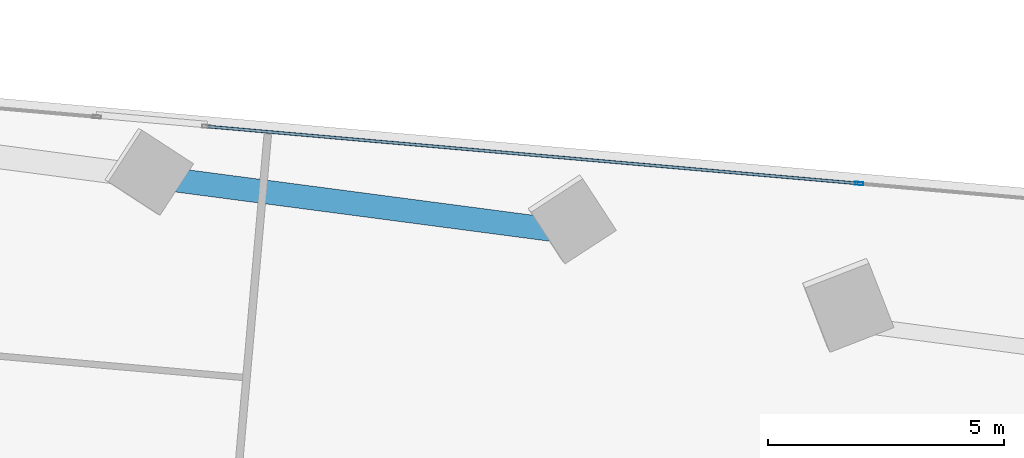
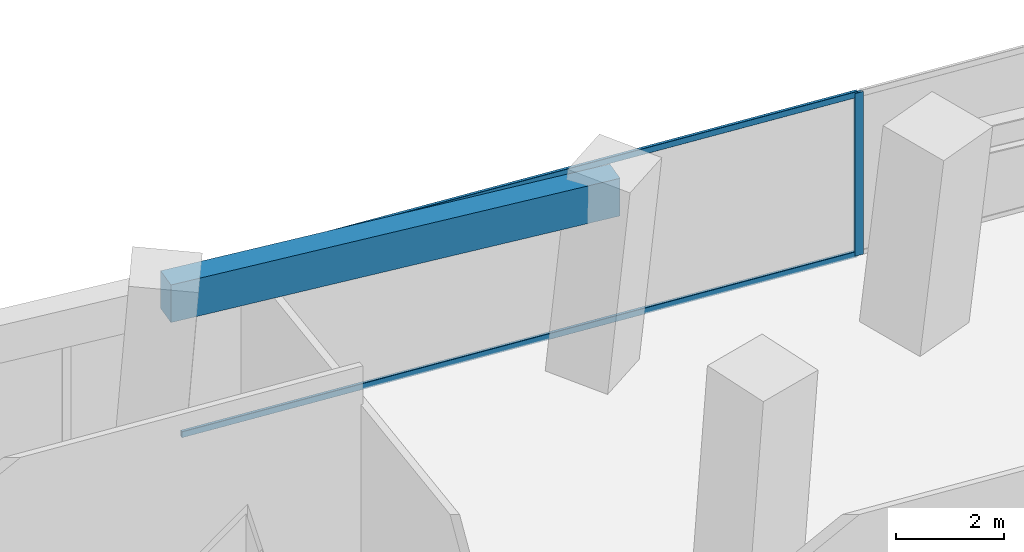
# One storey, part 17 of 23: 3 members, 1 beam, 1 element without a shape of its own.
"""IFC4 building model written with IfcOpenShell, lengths in metres."""

from ifc_helpers import new_model, si_unit, direction, frame, origin, origin_2d, place, context, subcontext, project, spatial, rectangle, hollow_rectangle, extrude, source, transform, mapped, material, material_profile, profile_set, type_object, element, aggregate, save


model = new_model("IFC4")

# Units and contexts
model_context = context("Model", 3, precision=1e-05, world=origin(), true_north=direction((0.0, 1.0)))
body_context = subcontext(model_context, "Body", "Model", "MODEL_VIEW")
ifc_project = project(units=[si_unit("LENGTHUNIT", "METRE"), si_unit("AREAUNIT", "SQUARE_METRE"), si_unit("VOLUMEUNIT", "CUBIC_METRE"), si_unit("PLANEANGLEUNIT", "RADIAN"), si_unit("MASSUNIT", "GRAM", prefix="KILO")], contexts=[model_context])

# Site, building, storey
site_placement = place(None, origin())
site = spatial("IfcSite", under=ifc_project, at=site_placement, CompositionType="ELEMENT")
building_placement = place(site_placement, origin())
building = spatial("IfcBuilding", under=site, at=building_placement, Name="Torre Montelarca", CompositionType="ELEMENT")
storey_placement = place(building_placement, frame((0.0, 0.0, 56.800048828125)))
storey = spatial("IfcBuildingStorey", under=building, at=storey_placement, Name="L12", CompositionType="ELEMENT", Elevation=56.800048828125)

# Beam
ifc_material_1 = material(Name="Concrete C55/67", Category="concrete")
ifc_material_profile_1 = material_profile(ifc_material_1, rectangle(XDim=0.5, YDim=0.85009765625, at=origin_2d()), Name="RCB500X850", Category="concrete")
ifc_profile_set_1 = profile_set([ifc_material_profile_1], Name="Concrete C55/67")
beam_type = type_object("IfcBeamType", Name="BM-SP-RC850-EXT", PredefinedType="SPANDREL", material=ifc_profile_set_1)
shared_shape_1 = source(origin(), body_context, "Body", "SweptSolid", [
    extrude(rectangle(XDim=0.5, YDim=0.85009765625, at=origin_2d()), origin(), (0.0, 0.0, 1.0), 9.0),
])
beam_placement = place(storey_placement, frame((28.930419921875, 46.302490234375, 4.135009765625), z_axis=(0.991444043898, -0.130532401413, 0.0), x_axis=(0.130532401413, 0.991444043898, 0.0)))
element("IfcBeam", 1, at=beam_placement, inside=storey, type_object=beam_type, Name="L12 Grid Girder X 27.0-36.0 at Y=47.1", PredefinedType="SPANDREL", context=body_context, shape_type="MappedRepresentation", body=[
    mapped(shared_shape_1, transform((0.0, 0.0, 0.0), scale=1.0)),
])

# Curtain wall, members
ifc_material_2 = material(Name="Insulated low-E laminated glass", Category="glass")
curtain_wall_type = type_object("IfcCurtainWallType", Name="CW-SYS-Z1", PredefinedType="USERDEFINED", material=ifc_material_2)
curtain_wall_placement = place(storey_placement, origin())
curtain_wall = element("IfcCurtainWall", 2, at=curtain_wall_placement, inside=storey, type_object=curtain_wall_type, Name="L12 Curtain Wall Run CW-T3-L12-E08-B1", ObjectType="UNITISED GLAZING", PredefinedType="USERDEFINED")
ifc_material_3 = material(Name="Anodised aluminium AA 6063-T6", Category="aluminium")
ifc_material_profile_2 = material_profile(ifc_material_3, hollow_rectangle(XDim=0.06494140625, YDim=0.179931640625, WallThickness=0.00390625, InnerFilletRadius=0.00390625, OuterFilletRadius=0.008056640625, at=origin_2d()), Name="ALU65X180X4", Category="aluminium")
ifc_profile_set_2 = profile_set([ifc_material_profile_2], Name="Anodised aluminium AA 6063-T6")
member_type_1 = type_object("IfcMemberType", Name="CWM-ALU180", PredefinedType="MULLION", material=ifc_profile_set_2)
shared_shape_2 = source(origin(), body_context, "Body", "SweptSolid", [
    extrude(hollow_rectangle(XDim=0.06494140625, YDim=0.179931640625, WallThickness=0.00390625, InnerFilletRadius=0.00390625, OuterFilletRadius=0.008056640625, at=origin_2d()), origin(), (0.0, 0.0, 1.0), 3.675048828125),
])
member_1_placement = place(storey_placement, frame((43.66796875, 46.19189453125, 0.0), z_axis=(0.0, 0.0, 1.0), x_axis=(-0.087157839083, -0.996194514684, 0.0)))
member_1 = element("IfcMember", 3, at=member_1_placement, type_object=member_type_1, Name="CW mullion 2", PredefinedType="MULLION", context=body_context, shape_type="MappedRepresentation", body=[
    mapped(shared_shape_2, transform((0.0, 0.0, 0.0), scale=1.0)),
])
ifc_material_profile_3 = material_profile(ifc_material_3, hollow_rectangle(XDim=0.06494140625, YDim=0.139892578125, WallThickness=0.00390625, InnerFilletRadius=0.00390625, OuterFilletRadius=0.008056640625, at=origin_2d()), Name="ALU65X140X4", Category="aluminium")
ifc_profile_set_3 = profile_set([ifc_material_profile_3], Name="Anodised aluminium AA 6063-T6")
member_type_2 = type_object("IfcMemberType", Name="CWT-ALU140", PredefinedType="USERDEFINED", material=ifc_profile_set_3)
shared_shape_3 = source(origin(), body_context, "Body", "SweptSolid", [
    extrude(hollow_rectangle(XDim=0.06494140625, YDim=0.139892578125, WallThickness=0.00390625, InnerFilletRadius=0.00390625, OuterFilletRadius=0.008056640625, at=origin_2d()), origin(), (0.0, 0.0, 1.0), 13.7900390625),
])
member_2_placement = place(storey_placement, frame((43.635498046875, 46.19482421875, 0.032470703125), z_axis=(-0.996194543773, 0.087157506602, 0.0), x_axis=(-0.087157506602, -0.996194543773, 0.0)))
member_2 = element("IfcMember", 4, at=member_2_placement, type_object=member_type_2, Name="CW transom 2.1", ObjectType="TRANSOM", PredefinedType="USERDEFINED", context=body_context, shape_type="MappedRepresentation", body=[
    mapped(shared_shape_3, transform((0.0, 0.0, 0.0), scale=1.0)),
])
member_3_placement = place(storey_placement, frame((43.635498046875, 46.19482421875, 3.642333984375), z_axis=(-0.996194543773, 0.087157506602, 0.0), x_axis=(-0.087157506602, -0.996194543773, 0.0)))
member_3 = element("IfcMember", 5, at=member_3_placement, type_object=member_type_2, Name="CW transom 2.2", ObjectType="TRANSOM", PredefinedType="USERDEFINED", context=body_context, shape_type="MappedRepresentation", body=[
    mapped(shared_shape_3, transform((0.0, 0.0, 0.0), scale=1.0)),
])
aggregate(curtain_wall, [member_1, member_2, member_3])

save(model, "model.ifc")
